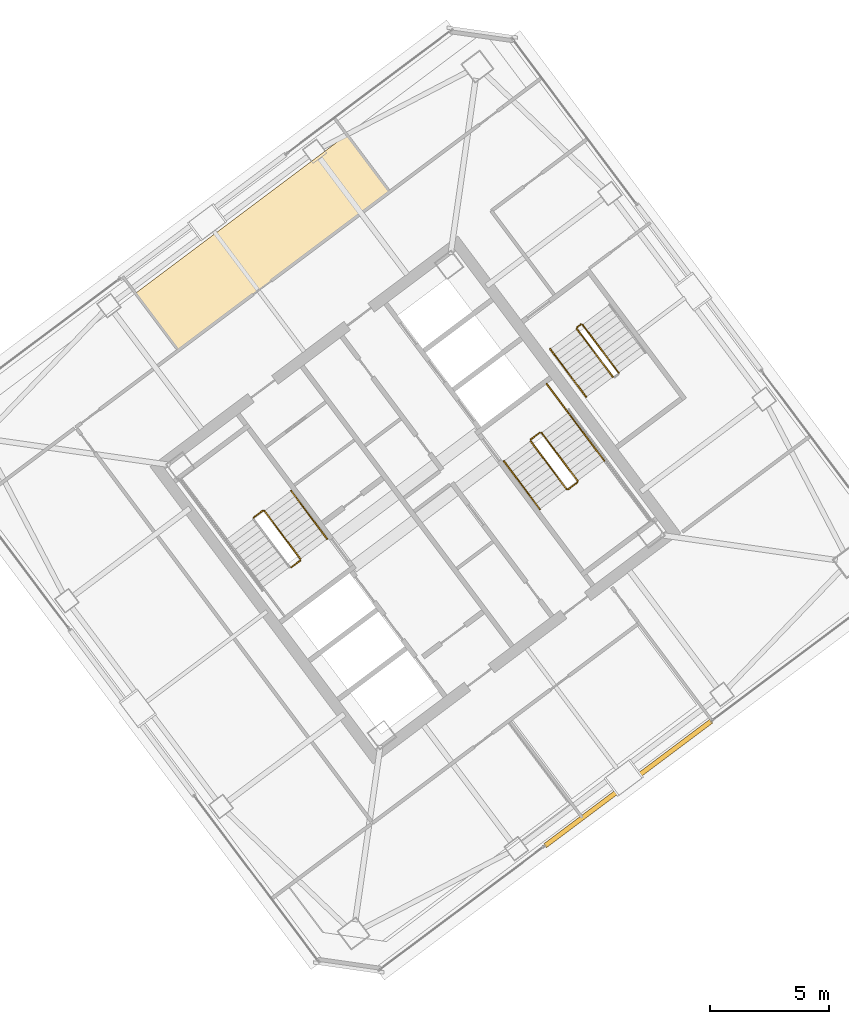
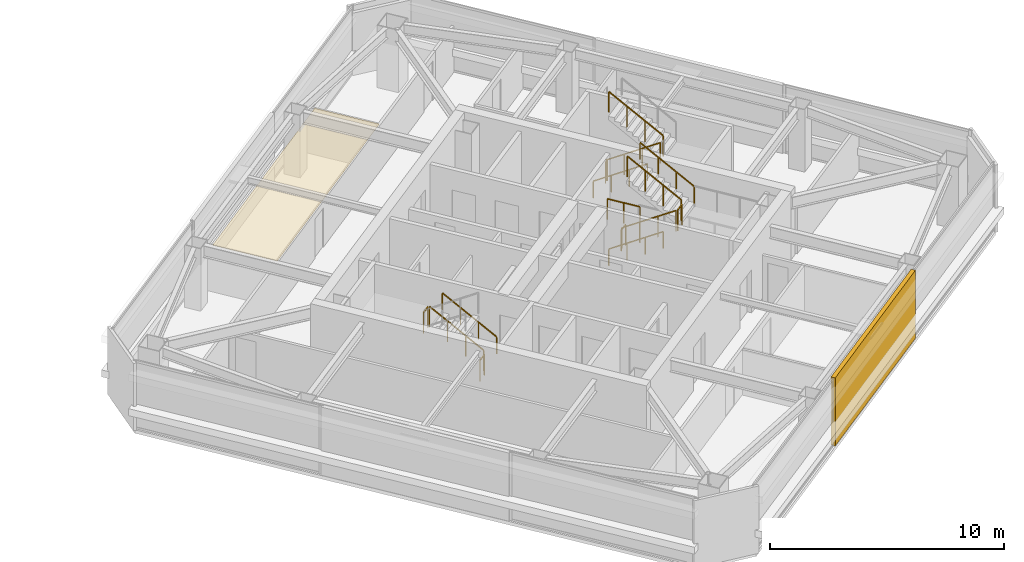
# One storey, part 37 of 39: 15 railings, 2 coverings.
"""IFC4 building model written with IfcOpenShell, lengths in metres."""

from ifc_helpers import new_model, si_unit, direction, frame, origin, origin_2d, place, context, subcontext, project, spatial, polyline, rectangle, outline, extrude, material, layer, layer_set, type_object, element, save


model = new_model("IFC4")

# Units and contexts
model_context = context("Model", 3, precision=1e-05, world=origin(), true_north=direction((0.0, 1.0)))
body_context = subcontext(model_context, "Body", "Model", "MODEL_VIEW")
ifc_project = project(units=[si_unit("LENGTHUNIT", "METRE"), si_unit("AREAUNIT", "SQUARE_METRE"), si_unit("VOLUMEUNIT", "CUBIC_METRE"), si_unit("PLANEANGLEUNIT", "RADIAN"), si_unit("MASSUNIT", "GRAM", prefix="KILO")], contexts=[model_context])

# Site, building, storey
site_placement = place(None, origin())
site = spatial("IfcSite", under=ifc_project, at=site_placement, CompositionType="ELEMENT")
building_placement = place(site_placement, origin())
building = spatial("IfcBuilding", under=site, at=building_placement, Name="Tashvorn Skyway Center", CompositionType="ELEMENT")
storey_placement = place(building_placement, frame((0.0, 0.0, 243.25)))
storey = spatial("IfcBuildingStorey", under=building, at=storey_placement, Name="L66", CompositionType="ELEMENT", Elevation=243.25)

# Coverings
ifc_material_1 = material(Name="Precast concrete C40/50", Category="concrete")
ifc_layer_1 = layer(ifc_material_1, 0.199951171875)
ifc_layer_set_1 = layer_set([ifc_layer_1], Name="Precast concrete C40/50")
covering_type_1 = type_object("IfcCoveringType", Name="COV-BRACE-CLAD", PredefinedType="CLADDING", material=ifc_layer_set_1)
covering_1_placement = place(storey_placement, frame((122.927978515625, 20.095947265625, 0.0), z_axis=(0.0, 0.0, 1.0), x_axis=(-0.799999996291, -0.600000004945, 0.0)))
element("IfcCovering", 1, at=covering_1_placement, inside=storey, type_object=covering_type_1, Name="Tower 2 L66 South Unitised Curtain Wall Mega-Brace Cladding Band 1", PredefinedType="CLADDING", context=body_context, shape_type="SweptSolid", body=[
    extrude(rectangle(XDim=8.719970703125, YDim=0.199951171875, at=origin_2d()), origin(), (0.0, 0.0, 1.0), 3.550048828125),
])
ifc_material_2 = material(Name="Mineral-fibre acoustic ceiling tile on suspended grid")
ifc_layer_2 = layer(ifc_material_2, 0.02001953125)
ifc_layer_set_2 = layer_set([ifc_layer_2], Name="Mineral-fibre acoustic ceiling tile on suspended grid")
covering_type_2 = type_object("IfcCoveringType", Name="COV-CEIL-20", PredefinedType="CEILING", material=ifc_layer_set_2)
covering_2_placement = place(storey_placement, frame((0.0, 0.0, 2.373046875)))
element("IfcCovering", 2, at=covering_2_placement, inside=storey, type_object=covering_type_2, Name="Tower 2 L66 Operations Control Room Acoustic Ceiling", PredefinedType="CEILING", context=body_context, shape_type="SweptSolid", body=[
    extrude(outline(polyline([(104.0400390625, 38.280029296875), (112.919921875, 44.93994140625), (111.1201171875, 47.340087890625), (102.239990234375, 40.679931640625), (104.0400390625, 38.280029296875)])), origin(), (0.0, 0.0, 1.0), 0.02001953125),
])

# Railings
ifc_material_3 = material(Name="Brushed stainless steel 316", Category="steel")
railing_type_1 = type_object("IfcRailingType", Name="RAIL-HAND-920", PredefinedType="HANDRAIL", material=ifc_material_3)
railing_1_placement = place(storey_placement, frame((110.2880859375, 30.365966796875, 0.177490234375)))
element("IfcRailing", 3, at=railing_1_placement, inside=storey, type_object=railing_type_1, Name="L66 ST-T2-1 stair handrail 1", PredefinedType="HANDRAIL", context=body_context, shape_type="SweptSolid", body=[
    extrude(rectangle(XDim=0.048095703125, YDim=0.048095703125, at=origin_2d()), frame((0.0, 0.0, 0.8759765625), z_axis=(-0.506801609611, 0.675680931896, 0.535357270211), x_axis=(-0.799976749893, -0.600030998891, 0.0)), (0.0, 0.0, 1.0), 2.98388671875),
    extrude(rectangle(XDim=0.0419921875, YDim=0.0419921875, at=origin_2d()), origin(), (0.0, 0.0, 1.0), 0.851806640625),
    extrude(rectangle(XDim=0.0419921875, YDim=0.0419921875, at=origin_2d()), frame((-0.504150390625, 0.672119140625, 0.532470703125)), (0.0, 0.0, 1.0), 0.851806640625),
    extrude(rectangle(XDim=0.0419921875, YDim=0.0419921875, at=origin_2d()), frame((-1.008056640625, 1.343994140625, 1.06494140625)), (0.0, 0.0, 1.0), 0.851806640625),
    extrude(rectangle(XDim=0.0419921875, YDim=0.0419921875, at=origin_2d()), frame((-1.51220703125, 2.01611328125, 1.597412109375)), (0.0, 0.0, 1.0), 0.851806640625),
])
railing_2_placement = place(storey_placement, frame((117.7119140625, 33.634033203125, 0.177490234375)))
element("IfcRailing", 4, at=railing_2_placement, inside=storey, type_object=railing_type_1, Name="L66 ST-T2-2 stair handrail 1", PredefinedType="HANDRAIL", context=body_context, shape_type="SweptSolid", body=[
    extrude(rectangle(XDim=0.048095703125, YDim=0.048095703125, at=origin_2d()), frame((0.0, 0.0, 0.8759765625), z_axis=(0.506801609611, -0.675680931896, 0.535357270211), x_axis=(0.799976749893, 0.600030998891, 0.0)), (0.0, 0.0, 1.0), 2.98388671875),
    extrude(rectangle(XDim=0.0419921875, YDim=0.0419921875, at=origin_2d()), origin(), (0.0, 0.0, 1.0), 0.851806640625),
    extrude(rectangle(XDim=0.0419921875, YDim=0.0419921875, at=origin_2d()), frame((0.504150390625, -0.672119140625, 0.532470703125)), (0.0, 0.0, 1.0), 0.851806640625),
    extrude(rectangle(XDim=0.0419921875, YDim=0.0419921875, at=origin_2d()), frame((1.008056640625, -1.343994140625, 1.06494140625)), (0.0, 0.0, 1.0), 0.851806640625),
    extrude(rectangle(XDim=0.0419921875, YDim=0.0419921875, at=origin_2d()), frame((1.51220703125, -2.01611328125, 1.597412109375)), (0.0, 0.0, 1.0), 0.851806640625),
])
railing_3_placement = place(storey_placement, frame((121.927978515625, 33.64599609375, 1.952392578125)))
element("IfcRailing", 5, at=railing_3_placement, inside=storey, type_object=railing_type_1, Name="L66 ST-T2-2 stair handrail 2", PredefinedType="HANDRAIL", context=body_context, shape_type="SweptSolid", body=[
    extrude(rectangle(XDim=0.048095703125, YDim=0.048095703125, at=origin_2d()), frame((0.0, 0.0, 0.8759765625), z_axis=(-0.506718600913, 0.675679348675, 0.535437836974), x_axis=(-0.800023250257, -0.599968998406, 0.0)), (0.0, 0.0, 1.0), 2.98388671875),
    extrude(rectangle(XDim=0.0419921875, YDim=0.0419921875, at=origin_2d()), origin(), (0.0, 0.0, 1.0), 0.851806640625),
    extrude(rectangle(XDim=0.0419921875, YDim=0.0419921875, at=origin_2d()), frame((-0.50390625, 0.672119140625, 0.532470703125)), (0.0, 0.0, 1.0), 0.851806640625),
    extrude(rectangle(XDim=0.0419921875, YDim=0.0419921875, at=origin_2d()), frame((-1.008056640625, 1.343994140625, 1.065185546875)), (0.0, 0.0, 1.0), 0.851806640625),
    extrude(rectangle(XDim=0.0419921875, YDim=0.0419921875, at=origin_2d()), frame((-1.511962890625, 2.01611328125, 1.59765625)), (0.0, 0.0, 1.0), 0.851806640625),
])
railing_4_placement = place(storey_placement, frame((119.656005859375, 38.342041015625, 0.177490234375)))
element("IfcRailing", 6, at=railing_4_placement, inside=storey, type_object=railing_type_1, Name="L66 ST-T2-3 stair handrail 1", PredefinedType="HANDRAIL", context=body_context, shape_type="SweptSolid", body=[
    extrude(rectangle(XDim=0.048095703125, YDim=0.048095703125, at=origin_2d()), frame((0.0, 0.0, 0.8759765625), z_axis=(0.506740800098, -0.675708949977, 0.535379469569), x_axis=(0.800023250257, 0.599968998406, 0.0)), (0.0, 0.0, 1.0), 2.983642578125),
    extrude(rectangle(XDim=0.0419921875, YDim=0.0419921875, at=origin_2d()), origin(), (0.0, 0.0, 1.0), 0.851806640625),
    extrude(rectangle(XDim=0.0419921875, YDim=0.0419921875, at=origin_2d()), frame((0.50390625, -0.672119140625, 0.532470703125)), (0.0, 0.0, 1.0), 0.851806640625),
    extrude(rectangle(XDim=0.0419921875, YDim=0.0419921875, at=origin_2d()), frame((1.008056640625, -1.343994140625, 1.06494140625)), (0.0, 0.0, 1.0), 0.851806640625),
    extrude(rectangle(XDim=0.0419921875, YDim=0.0419921875, at=origin_2d()), frame((1.511962890625, -2.01611328125, 1.597412109375)), (0.0, 0.0, 1.0), 0.851806640625),
])
ifc_material_4 = material(Name="Painted galvanized steel S355", Category="steel")
railing_type_2 = type_object("IfcRailingType", Name="RAIL-STGUARD-1100", PredefinedType="GUARDRAIL", material=ifc_material_4)
railing_5_placement = place(storey_placement, frame((109.16796875, 29.52587890625, 0.177490234375)))
element("IfcRailing", 7, at=railing_5_placement, inside=storey, type_object=railing_type_2, Name="L66 ST-T2-1 stair guard 1", PredefinedType="GUARDRAIL", context=body_context, shape_type="SweptSolid", body=[
    extrude(rectangle(XDim=0.048095703125, YDim=0.048095703125, at=origin_2d()), frame((0.0, 0.0, 1.076171875), z_axis=(-0.506740800098, 0.675708949977, 0.535379469569), x_axis=(-0.800023250257, -0.599968998406, 0.0)), (0.0, 0.0, 1.0), 2.983642578125),
    extrude(rectangle(XDim=0.0419921875, YDim=0.0419921875, at=origin_2d()), origin(), (0.0, 0.0, 1.0), 1.052001953125),
    extrude(rectangle(XDim=0.0419921875, YDim=0.0419921875, at=origin_2d()), frame((-0.50390625, 0.672119140625, 0.532470703125)), (0.0, 0.0, 1.0), 1.052001953125),
    extrude(rectangle(XDim=0.0419921875, YDim=0.0419921875, at=origin_2d()), frame((-1.008056640625, 1.343994140625, 1.06494140625)), (0.0, 0.0, 1.0), 1.052001953125),
    extrude(rectangle(XDim=0.0419921875, YDim=0.0419921875, at=origin_2d()), frame((-1.511962890625, 2.01611328125, 1.597412109375)), (0.0, 0.0, 1.0), 1.052001953125),
])
for number, where, name in (
    (8, (107.5859375, 31.552001953125, 1.77490234375), "L66 ST-T2-1 stair guard 2"),
    (9, (109.157958984375, 29.4560546875, 0.0), "L66 ST-T2-1 stair guard 5"),
):
    element("IfcRailing", number, at=place(storey_placement, frame(where)), inside=storey, type_object=railing_type_2, Name=name, PredefinedType="GUARDRAIL", context=body_context, shape_type="SweptSolid", body=[
        extrude(rectangle(XDim=0.048095703125, YDim=0.048095703125, at=origin_2d()), frame((0.0, 0.0, 1.076171875), z_axis=(-0.799938970639, -0.600081363861, 0.0), x_axis=(0.600081363861, -0.799938970639, 0.0)), (0.0, 0.0, 1.0), 0.47998046875),
        extrude(rectangle(XDim=0.0419921875, YDim=0.0419921875, at=origin_2d()), origin(), (0.0, 0.0, 1.0), 1.052001953125),
        extrude(rectangle(XDim=0.0419921875, YDim=0.0419921875, at=origin_2d()), frame((-0.384033203125, -0.2880859375, 0.0)), (0.0, 0.0, 1.0), 1.052001953125),
    ])
railing_6_placement = place(storey_placement, frame((118.83203125, 34.47412109375, 0.177490234375)))
element("IfcRailing", 10, at=railing_6_placement, inside=storey, type_object=railing_type_2, Name="L66 ST-T2-2 stair guard 1", PredefinedType="GUARDRAIL", context=body_context, shape_type="SweptSolid", body=[
    extrude(rectangle(XDim=0.048095703125, YDim=0.048095703125, at=origin_2d()), frame((0.0, 0.0, 1.076171875), z_axis=(0.506740800098, -0.675708949977, 0.535379469569), x_axis=(0.800023250257, 0.599968998406, 0.0)), (0.0, 0.0, 1.0), 2.983642578125),
    extrude(rectangle(XDim=0.0419921875, YDim=0.0419921875, at=origin_2d()), origin(), (0.0, 0.0, 1.0), 1.052001953125),
    extrude(rectangle(XDim=0.0419921875, YDim=0.0419921875, at=origin_2d()), frame((0.50390625, -0.672119140625, 0.532470703125)), (0.0, 0.0, 1.0), 1.052001953125),
    extrude(rectangle(XDim=0.0419921875, YDim=0.0419921875, at=origin_2d()), frame((1.008056640625, -1.343994140625, 1.06494140625)), (0.0, 0.0, 1.0), 1.052001953125),
    extrude(rectangle(XDim=0.0419921875, YDim=0.0419921875, at=origin_2d()), frame((1.511962890625, -2.01611328125, 1.597412109375)), (0.0, 0.0, 1.0), 1.052001953125),
])
railing_7_placement = place(storey_placement, frame((120.4140625, 32.447998046875, 1.77490234375)))
element("IfcRailing", 11, at=railing_7_placement, inside=storey, type_object=railing_type_2, Name="L66 ST-T2-2 stair guard 2", PredefinedType="GUARDRAIL", context=body_context, shape_type="SweptSolid", body=[
    extrude(rectangle(XDim=0.048095703125, YDim=0.048095703125, at=origin_2d()), frame((0.0, 0.0, 1.076171875), z_axis=(0.799938970639, 0.600081363861, 0.0), x_axis=(-0.600081363861, 0.799938970639, 0.0)), (0.0, 0.0, 1.0), 0.47998046875),
    extrude(rectangle(XDim=0.0419921875, YDim=0.0419921875, at=origin_2d()), origin(), (0.0, 0.0, 1.0), 1.052001953125),
    extrude(rectangle(XDim=0.0419921875, YDim=0.0419921875, at=origin_2d()), frame((0.384033203125, 0.2880859375, 0.0)), (0.0, 0.0, 1.0), 1.052001953125),
])
railing_8_placement = place(storey_placement, frame((120.80810546875, 32.805908203125, 1.952392578125)))
element("IfcRailing", 12, at=railing_8_placement, inside=storey, type_object=railing_type_2, Name="L66 ST-T2-2 stair guard 4", PredefinedType="GUARDRAIL", context=body_context, shape_type="SweptSolid", body=[
    extrude(rectangle(XDim=0.048095703125, YDim=0.048095703125, at=origin_2d()), frame((0.0, 0.0, 1.076171875), z_axis=(-0.506779409603, 0.675651334276, 0.53541563714), x_axis=(-0.799976749893, -0.600030998891, 0.0)), (0.0, 0.0, 1.0), 2.98388671875),
    extrude(rectangle(XDim=0.0419921875, YDim=0.0419921875, at=origin_2d()), origin(), (0.0, 0.0, 1.0), 1.052001953125),
    extrude(rectangle(XDim=0.0419921875, YDim=0.0419921875, at=origin_2d()), frame((-0.504150390625, 0.672119140625, 0.532470703125)), (0.0, 0.0, 1.0), 1.052001953125),
    extrude(rectangle(XDim=0.0419921875, YDim=0.0419921875, at=origin_2d()), frame((-1.008056640625, 1.343994140625, 1.065185546875)), (0.0, 0.0, 1.0), 1.052001953125),
    extrude(rectangle(XDim=0.0419921875, YDim=0.0419921875, at=origin_2d()), frame((-1.51220703125, 2.01611328125, 1.59765625)), (0.0, 0.0, 1.0), 1.052001953125),
])
railing_9_placement = place(storey_placement, frame((118.842041015625, 34.5439453125, 0.0)))
element("IfcRailing", 13, at=railing_9_placement, inside=storey, type_object=railing_type_2, Name="L66 ST-T2-2 stair guard 5", PredefinedType="GUARDRAIL", context=body_context, shape_type="SweptSolid", body=[
    extrude(rectangle(XDim=0.048095703125, YDim=0.048095703125, at=origin_2d()), frame((0.0, 0.0, 1.076171875), z_axis=(0.799938970639, 0.600081363861, 0.0), x_axis=(-0.600081363861, 0.799938970639, 0.0)), (0.0, 0.0, 1.0), 0.47998046875),
    extrude(rectangle(XDim=0.0419921875, YDim=0.0419921875, at=origin_2d()), origin(), (0.0, 0.0, 1.0), 1.052001953125),
    extrude(rectangle(XDim=0.0419921875, YDim=0.0419921875, at=origin_2d()), frame((0.384033203125, 0.2880859375, 0.0)), (0.0, 0.0, 1.0), 1.052001953125),
])
railing_10_placement = place(storey_placement, frame((119.50390625, 36.8779296875, 0.0)))
element("IfcRailing", 14, at=railing_10_placement, inside=storey, type_object=railing_type_2, Name="L66 ST-T2-2 stair guard 6", PredefinedType="GUARDRAIL", context=body_context, shape_type="SweptSolid", body=[
    extrude(rectangle(XDim=0.048095703125, YDim=0.048095703125, at=origin_2d()), frame((0.0, 0.0, 1.076171875), z_axis=(0.600102796382, -0.799922892393, 0.0), x_axis=(0.799922892393, 0.600102796382, 0.0)), (0.0, 0.0, 1.0), 1.52001953125),
    extrude(rectangle(XDim=0.0419921875, YDim=0.0419921875, at=origin_2d()), origin(), (0.0, 0.0, 1.0), 1.052001953125),
    extrude(rectangle(XDim=0.0419921875, YDim=0.0419921875, at=origin_2d()), frame((0.4560546875, -0.60791015625, 0.0)), (0.0, 0.0, 1.0), 1.052001953125),
    extrude(rectangle(XDim=0.0419921875, YDim=0.0419921875, at=origin_2d()), frame((0.912109375, -1.2158203125, 0.0)), (0.0, 0.0, 1.0), 1.052001953125),
])
railing_11_placement = place(storey_placement, frame((120.77587890625, 39.181884765625, 0.177490234375)))
element("IfcRailing", 15, at=railing_11_placement, inside=storey, type_object=railing_type_2, Name="L66 ST-T2-3 stair guard 1", PredefinedType="GUARDRAIL", context=body_context, shape_type="SweptSolid", body=[
    extrude(rectangle(XDim=0.048095703125, YDim=0.048095703125, at=origin_2d()), frame((0.0, 0.0, 1.076171875), z_axis=(0.506829628838, -0.67563646195, 0.535386868177), x_axis=(0.799941867976, 0.600077501544, 0.0)), (0.0, 0.0, 1.0), 2.983642578125),
    extrude(rectangle(XDim=0.0419921875, YDim=0.0419921875, at=origin_2d()), origin(), (0.0, 0.0, 1.0), 1.052001953125),
    extrude(rectangle(XDim=0.0419921875, YDim=0.0419921875, at=origin_2d()), frame((0.504150390625, -0.671875, 0.532470703125)), (0.0, 0.0, 1.0), 1.052001953125),
    extrude(rectangle(XDim=0.0419921875, YDim=0.0419921875, at=origin_2d()), frame((1.008056640625, -1.343994140625, 1.06494140625)), (0.0, 0.0, 1.0), 1.052001953125),
    extrude(rectangle(XDim=0.0419921875, YDim=0.0419921875, at=origin_2d()), frame((1.51220703125, -2.015869140625, 1.597412109375)), (0.0, 0.0, 1.0), 1.052001953125),
])
railing_12_placement = place(storey_placement, frame((122.528076171875, 37.345947265625, 1.952392578125)))
element("IfcRailing", 16, at=railing_12_placement, inside=storey, type_object=railing_type_2, Name="L66 ST-T2-3 stair guard 3", PredefinedType="GUARDRAIL", context=body_context, shape_type="SweptSolid", body=[
    extrude(rectangle(XDim=0.048095703125, YDim=0.048095703125, at=origin_2d()), frame((0.0, 0.0, 1.076171875), z_axis=(-0.506718600913, 0.675679348675, 0.535437836974), x_axis=(-0.800023250257, -0.599968998406, 0.0)), (0.0, 0.0, 1.0), 2.98388671875),
    extrude(rectangle(XDim=0.0419921875, YDim=0.0419921875, at=origin_2d()), origin(), (0.0, 0.0, 1.0), 1.052001953125),
    extrude(rectangle(XDim=0.0419921875, YDim=0.0419921875, at=origin_2d()), frame((-0.50390625, 0.672119140625, 0.532470703125)), (0.0, 0.0, 1.0), 1.052001953125),
    extrude(rectangle(XDim=0.0419921875, YDim=0.0419921875, at=origin_2d()), frame((-1.008056640625, 1.343994140625, 1.065185546875)), (0.0, 0.0, 1.0), 1.052001953125),
    extrude(rectangle(XDim=0.0419921875, YDim=0.0419921875, at=origin_2d()), frame((-1.511962890625, 2.01611328125, 1.59765625)), (0.0, 0.0, 1.0), 1.052001953125),
])
railing_13_placement = place(storey_placement, frame((120.785888671875, 39.251953125, 0.0)))
element("IfcRailing", 17, at=railing_13_placement, inside=storey, type_object=railing_type_2, Name="L66 ST-T2-3 stair guard 4", PredefinedType="GUARDRAIL", context=body_context, shape_type="SweptSolid", body=[
    extrude(rectangle(XDim=0.048095703125, YDim=0.048095703125, at=origin_2d()), frame((0.0, 0.0, 1.076171875), z_axis=(0.8, 0.6, 0.0), x_axis=(-0.6, 0.8, 0.0)), (0.0, 0.0, 1.0), 0.2001953125),
    extrude(rectangle(XDim=0.0419921875, YDim=0.0419921875, at=origin_2d()), origin(), (0.0, 0.0, 1.0), 1.052001953125),
    extrude(rectangle(XDim=0.0419921875, YDim=0.0419921875, at=origin_2d()), frame((0.16015625, 0.1201171875, 0.0)), (0.0, 0.0, 1.0), 1.052001953125),
])

save(model, "model.ifc")
